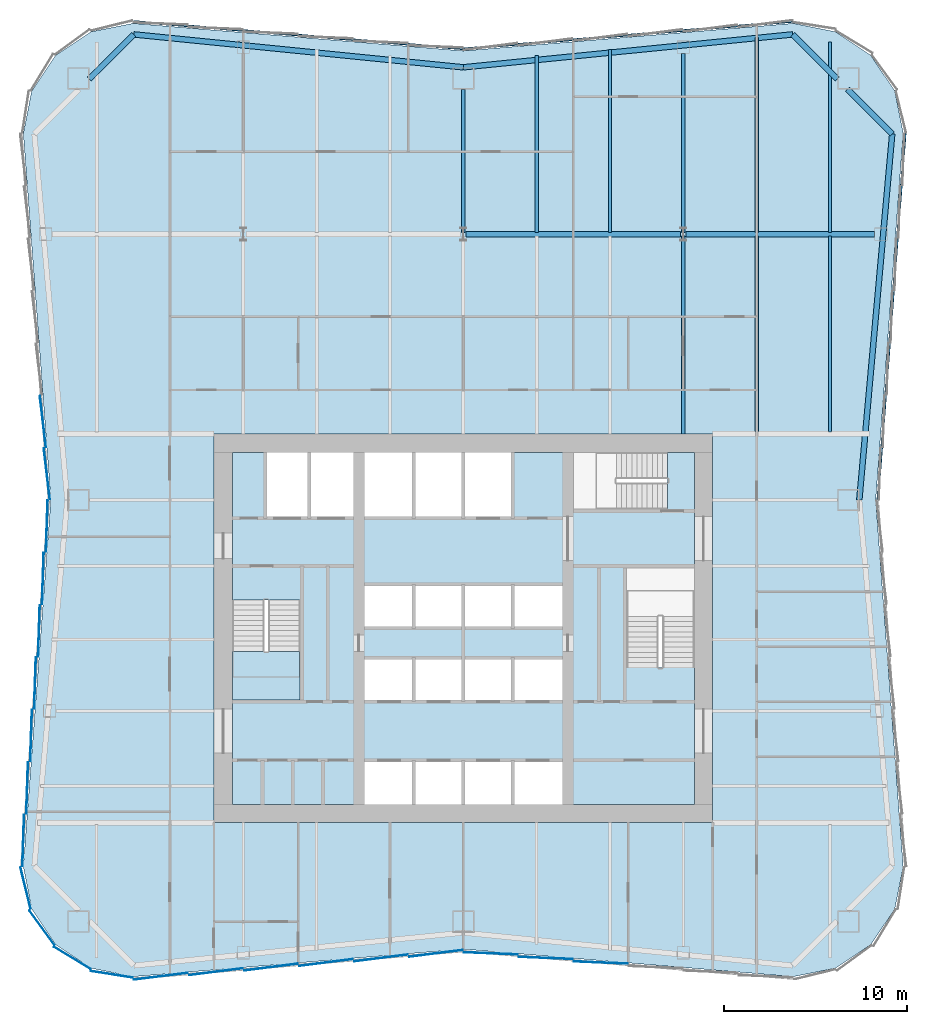
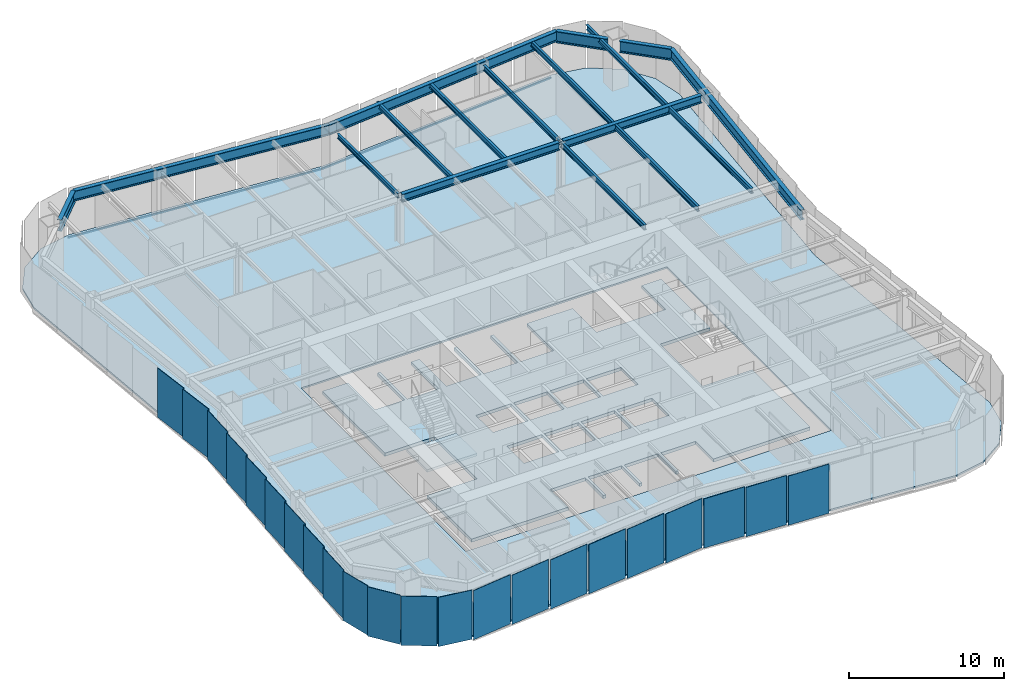
# One storey, part 2 of 8: 22 plates, 17 beams, 3 members, 3 slabs, 6 elements without a shape of their own.
"""IFC4 building model written with IfcOpenShell, lengths in metres."""

from ifc_helpers import new_model, si_unit, direction, frame, origin, origin_2d, place, context, subcontext, project, spatial, polyline, rectangle, i_section, outline, extrude, material, layer, layer_set, material_profile, profile_set, type_object, element, aggregate, save


model = new_model("IFC4")

# Units and contexts
model_context = context("Model", 3, precision=1e-05, world=origin(), true_north=direction((0.0, 1.0)))
body_context = subcontext(model_context, "Body", "Model", "MODEL_VIEW")
ifc_project = project(units=[si_unit("LENGTHUNIT", "METRE"), si_unit("AREAUNIT", "SQUARE_METRE"), si_unit("VOLUMEUNIT", "CUBIC_METRE"), si_unit("PLANEANGLEUNIT", "RADIAN"), si_unit("MASSUNIT", "GRAM", prefix="KILO")], contexts=[model_context])

# Site, building, storey
site_placement = place(None, origin())
site = spatial("IfcSite", under=ifc_project, at=site_placement, CompositionType="ELEMENT")
building_placement = place(site_placement, origin())
building = spatial("IfcBuilding", under=site, at=building_placement, Name="Verdant Reach Tower", CompositionType="ELEMENT")
storey_placement = place(building_placement, frame((0.0, 0.0, 146.0)))
storey = spatial("IfcBuildingStorey", under=building, at=storey_placement, Name="L33", CompositionType="ELEMENT", Elevation=146.0)

# Curtain wall, member
ifc_material_1 = material(Name="Anodised aluminium", Category="aluminium")
curtain_wall_type = type_object("IfcCurtainWallType", Name="EN-CW SYSTEM Z2", PredefinedType="NOTDEFINED", material=ifc_material_1)
curtain_wall_1_placement = place(storey_placement, origin())
curtain_wall_1 = element("IfcCurtainWall", 1, at=curtain_wall_1_placement, inside=storey, type_object=curtain_wall_type, Name="Curtain wall east, L33", PredefinedType="NOTDEFINED")
ifc_material_profile_1 = material_profile(ifc_material_1, rectangle(XDim=0.10009765625, YDim=0.1240234375, at=origin_2d()), Name="Transom 124x100")
ifc_profile_set_1 = profile_set([ifc_material_profile_1], Name="Anodised aluminium")
member_type = type_object("IfcMemberType", Name="EN-TRANSOM Z2", PredefinedType="USERDEFINED", material=ifc_profile_set_1)
member_1_placement = place(storey_placement, frame((22.6083984375, 35.031982421875, -0.2880859375), z_axis=(0.07476111665, 0.997201471839, 0.0), x_axis=(-0.997201471839, 0.07476111665, 0.0)))
member_1 = element("IfcMember", 2, at=member_1_placement, type_object=member_type, Name="Transom east face part 2 1.1, L33", ObjectType="TRANSOM", PredefinedType="USERDEFINED", context=body_context, shape_type="SweptSolid", body=[
    extrude(rectangle(XDim=0.10009765625, YDim=0.1240234375, at=origin_2d()), origin(), (0.0, 0.0, 1.0), 19.99853515625),
])
aggregate(curtain_wall_1, [member_1])

# Curtain wall, members
curtain_wall_2_placement = place(storey_placement, origin())
curtain_wall_2 = element("IfcCurtainWall", 3, at=curtain_wall_2_placement, inside=storey, type_object=curtain_wall_type, Name="Curtain wall north, L33", PredefinedType="NOTDEFINED")
member_2_placement = place(storey_placement, frame((17.97412109375, 61.103271484375, -0.2880859375), z_axis=(-0.996548282776, -0.083015179915, 0.0), x_axis=(0.083015179915, -0.996548282776, 0.0)))
member_2 = element("IfcMember", 4, at=member_2_placement, type_object=member_type, Name="Transom north face part 1 1.1, L33", ObjectType="TRANSOM", PredefinedType="USERDEFINED", context=body_context, shape_type="SweptSolid", body=[
    extrude(rectangle(XDim=0.10009765625, YDim=0.1240234375, at=origin_2d()), origin(), (0.0, 0.0, 1.0), 18.00439453125),
])
member_3_placement = place(storey_placement, frame((-0.031982421875, 59.608642578125, -0.2880859375), z_axis=(-0.996548282776, 0.083015179915, 0.0), x_axis=(-0.083015179915, -0.996548282776, 0.0)))
member_3 = element("IfcMember", 5, at=member_3_placement, type_object=member_type, Name="Transom north face part 2 1.1, L33", ObjectType="TRANSOM", PredefinedType="USERDEFINED", context=body_context, shape_type="SweptSolid", body=[
    extrude(rectangle(XDim=0.10009765625, YDim=0.1240234375, at=origin_2d()), origin(), (0.0, 0.0, 1.0), 18.00439453125),
])
aggregate(curtain_wall_2, [member_2, member_3])

# Beams
ifc_material_2 = material(Name="Steel S355", Category="steel")
ifc_material_profile_2 = material_profile(ifc_material_2, i_section(OverallWidth=0.300048828125, OverallDepth=0.60009765625, WebThickness=0.015380859375, FlangeThickness=0.030029296875, FilletRadius=0.027099609375, at=origin_2d()), Name="HEB 600")
ifc_profile_set_2 = profile_set([ifc_material_profile_2], Name="Steel S355")
beam_type_1 = type_object("IfcBeamType", Name="ST-BEAM-HEB600", PredefinedType="BEAM", material=ifc_profile_set_2)
beam_1_placement = place(storey_placement, frame((0.154052734375, 49.5, 3.570068359375), z_axis=(1.0, 0.0, 0.0), x_axis=(0.0, 1.0, 0.0)))
element("IfcBeam", 6, at=beam_1_placement, inside=storey, type_object=beam_type_1, Name="Row girder, L33", PredefinedType="BEAM", context=body_context, shape_type="SweptSolid", body=[
    extrude(i_section(OverallWidth=0.300048828125, OverallDepth=0.60009765625, WebThickness=0.015380859375, FlangeThickness=0.030029296875, FilletRadius=0.027099609375, at=origin_2d()), origin(), (0.0, 0.0, 1.0), 11.69189453125),
])
beam_2_placement = place(storey_placement, frame((12.154052734375, 49.5, 3.570068359375), z_axis=(1.0, 0.0, 0.0), x_axis=(0.0, 1.0, 0.0)))
element("IfcBeam", 7, at=beam_2_placement, inside=storey, type_object=beam_type_1, Name="Row girder, L33", PredefinedType="BEAM", context=body_context, shape_type="SweptSolid", body=[
    extrude(i_section(OverallWidth=0.300048828125, OverallDepth=0.60009765625, WebThickness=0.015380859375, FlangeThickness=0.030029296875, FilletRadius=0.027099609375, at=origin_2d()), origin(), (0.0, 0.0, 1.0), 10.283447265625),
])
ifc_material_profile_3 = material_profile(ifc_material_2, i_section(OverallWidth=0.169921875, OverallDepth=0.360107421875, WebThickness=0.008056640625, FlangeThickness=0.0126953125, FilletRadius=0.01806640625, at=origin_2d()), Name="IPE 360")
ifc_profile_set_3 = profile_set([ifc_material_profile_3], Name="Steel S355")
beam_type_2 = type_object("IfcBeamType", Name="ST-JOIST-IPE360", PredefinedType="JOIST", material=ifc_profile_set_3)
beam_3_placement = place(storey_placement, frame((0.0, 49.60009765625, 3.68994140625), z_axis=(0.0, 1.0, 0.0), x_axis=(-1.0, 0.0, 0.0)))
element("IfcBeam", 8, at=beam_3_placement, inside=storey, type_object=beam_type_2, Name="Floor joist, L33", PredefinedType="JOIST", context=body_context, shape_type="SweptSolid", body=[
    extrude(i_section(OverallWidth=0.169921875, OverallDepth=0.360107421875, WebThickness=0.008056640625, FlangeThickness=0.0126953125, FilletRadius=0.01806640625, at=origin_2d()), origin(), (0.0, 0.0, 1.0), 7.7998046875),
])
ifc_material_profile_4 = material_profile(ifc_material_2, i_section(OverallWidth=0.179931640625, OverallDepth=0.39990234375, WebThickness=0.008544921875, FlangeThickness=0.013427734375, FilletRadius=0.02099609375, at=origin_2d()), Name="IPE 400")
ifc_profile_set_4 = profile_set([ifc_material_profile_4], Name="Steel S355")
beam_type_3 = type_object("IfcBeamType", Name="ST-JOIST-IPE400", PredefinedType="JOIST", material=ifc_profile_set_4)
beam_4_placement = place(storey_placement, frame((4.0, 49.60009765625, 3.669921875), z_axis=(0.0, 1.0, 0.0), x_axis=(-1.0, 0.0, 0.0)))
element("IfcBeam", 9, at=beam_4_placement, inside=storey, type_object=beam_type_3, Name="Floor joist, L33", PredefinedType="JOIST", context=body_context, shape_type="SweptSolid", body=[
    extrude(i_section(OverallWidth=0.179931640625, OverallDepth=0.39990234375, WebThickness=0.008544921875, FlangeThickness=0.013427734375, FilletRadius=0.02099609375, at=origin_2d()), origin(), (0.0, 0.0, 1.0), 9.631103515625),
])
beam_5_placement = place(storey_placement, frame((8.0, 49.60009765625, 3.669921875), z_axis=(0.0, 1.0, 0.0), x_axis=(-1.0, 0.0, 0.0)))
element("IfcBeam", 10, at=beam_5_placement, inside=storey, type_object=beam_type_3, Name="Floor joist, L33", PredefinedType="JOIST", context=body_context, shape_type="SweptSolid", body=[
    extrude(i_section(OverallWidth=0.179931640625, OverallDepth=0.39990234375, WebThickness=0.008544921875, FlangeThickness=0.013427734375, FilletRadius=0.02099609375, at=origin_2d()), origin(), (0.0, 0.0, 1.0), 9.964599609375),
])
beam_6_placement = place(storey_placement, frame((12.0, 38.60009765625, 3.669921875), z_axis=(0.0, 1.0, 0.0), x_axis=(-1.0, 0.0, 0.0)))
element("IfcBeam", 11, at=beam_6_placement, inside=storey, type_object=beam_type_3, Name="Floor joist, L33", PredefinedType="JOIST", context=body_context, shape_type="SweptSolid", body=[
    extrude(i_section(OverallWidth=0.179931640625, OverallDepth=0.39990234375, WebThickness=0.008544921875, FlangeThickness=0.013427734375, FilletRadius=0.02099609375, at=origin_2d()), origin(), (0.0, 0.0, 1.0), 10.7998046875),
])
beam_7_placement = place(storey_placement, frame((12.0, 49.60009765625, 3.669921875), z_axis=(0.0, 1.0, 0.0), x_axis=(-1.0, 0.0, 0.0)))
element("IfcBeam", 12, at=beam_7_placement, inside=storey, type_object=beam_type_3, Name="Floor joist, L33", PredefinedType="JOIST", context=body_context, shape_type="SweptSolid", body=[
    extrude(i_section(OverallWidth=0.179931640625, OverallDepth=0.39990234375, WebThickness=0.008544921875, FlangeThickness=0.013427734375, FilletRadius=0.02099609375, at=origin_2d()), origin(), (0.0, 0.0, 1.0), 9.75),
])
beam_8_placement = place(storey_placement, frame((16.0, 38.699951171875, 3.669921875), z_axis=(0.0, 1.0, 0.0), x_axis=(-1.0, 0.0, 0.0)))
element("IfcBeam", 13, at=beam_8_placement, inside=storey, type_object=beam_type_3, Name="Floor joist, L33", PredefinedType="JOIST", context=body_context, shape_type="SweptSolid", body=[
    extrude(i_section(OverallWidth=0.179931640625, OverallDepth=0.39990234375, WebThickness=0.008544921875, FlangeThickness=0.013427734375, FilletRadius=0.02099609375, at=origin_2d()), origin(), (0.0, 0.0, 1.0), 10.699951171875),
])
beam_9_placement = place(storey_placement, frame((16.0, 49.60009765625, 3.669921875), z_axis=(0.0, 1.0, 0.0), x_axis=(-1.0, 0.0, 0.0)))
element("IfcBeam", 14, at=beam_9_placement, inside=storey, type_object=beam_type_3, Name="Floor joist, L33", PredefinedType="JOIST", context=body_context, shape_type="SweptSolid", body=[
    extrude(i_section(OverallWidth=0.179931640625, OverallDepth=0.39990234375, WebThickness=0.008544921875, FlangeThickness=0.013427734375, FilletRadius=0.02099609375, at=origin_2d()), origin(), (0.0, 0.0, 1.0), 10.631103515625),
])
beam_10_placement = place(storey_placement, frame((20.0, 38.699951171875, 3.669921875), z_axis=(0.0, 1.0, 0.0), x_axis=(-1.0, 0.0, 0.0)))
element("IfcBeam", 15, at=beam_10_placement, inside=storey, type_object=beam_type_3, Name="Floor joist, L33", PredefinedType="JOIST", context=body_context, shape_type="SweptSolid", body=[
    extrude(i_section(OverallWidth=0.179931640625, OverallDepth=0.39990234375, WebThickness=0.008544921875, FlangeThickness=0.013427734375, FilletRadius=0.02099609375, at=origin_2d()), origin(), (0.0, 0.0, 1.0), 10.699951171875),
])
beam_11_placement = place(storey_placement, frame((20.0, 49.60009765625, 3.669921875), z_axis=(0.0, 1.0, 0.0), x_axis=(-1.0, 0.0, 0.0)))
element("IfcBeam", 16, at=beam_11_placement, inside=storey, type_object=beam_type_3, Name="Floor joist, L33", PredefinedType="JOIST", context=body_context, shape_type="SweptSolid", body=[
    extrude(i_section(OverallWidth=0.179931640625, OverallDepth=0.39990234375, WebThickness=0.008544921875, FlangeThickness=0.013427734375, FilletRadius=0.02099609375, at=origin_2d()), origin(), (0.0, 0.0, 1.0), 10.390380859375),
])
ifc_material_profile_5 = material_profile(ifc_material_2, i_section(OverallWidth=0.300048828125, OverallDepth=0.800048828125, WebThickness=0.017578125, FlangeThickness=0.032958984375, FilletRadius=0.030029296875, at=origin_2d()), Name="HEB 800")
ifc_profile_set_5 = profile_set([ifc_material_profile_5], Name="Steel S355")
beam_type_4 = type_object("IfcBeamType", Name="ST-SPANDREL-HEB800", PredefinedType="SPANDREL", material=ifc_profile_set_5)
for number, where, z_axis, x_axis, name in (
    (17, (-17.9658203125, 60.39501953125, 3.469970703125), (0.995046289869, -0.099412680371, 0.0), (0.099412680371, 0.995046289869, 0.0), "Edge beam, L33"),
    (18, (0.0, 58.60009765625, 3.469970703125), (0.995046289869, 0.099412680371, 0.0), (-0.099412680371, 0.995046289869, 0.0), "Edge beam, L33"),
):
    element("IfcBeam", number, at=place(storey_placement, frame(where, z_axis=z_axis, x_axis=x_axis)), inside=storey, type_object=beam_type_4, Name=name, PredefinedType="SPANDREL", context=body_context, shape_type="SweptSolid", body=[
        extrude(i_section(OverallWidth=0.300048828125, OverallDepth=0.800048828125, WebThickness=0.017578125, FlangeThickness=0.032958984375, FilletRadius=0.030029296875, at=origin_2d()), origin(), (0.0, 0.0, 1.0), 18.05517578125),
    ])
beam_12_placement = place(storey_placement, frame((23.3955078125, 54.963134765625, 3.469970703125), z_axis=(-0.089574749266, -0.995980102358, 0.0), x_axis=(0.995980102358, -0.089574749266, 0.0)))
element("IfcBeam", 19, at=beam_12_placement, inside=storey, type_object=beam_type_4, Name="Edge beam, L33", PredefinedType="SPANDREL", context=body_context, shape_type="SweptSolid", body=[
    extrude(i_section(OverallWidth=0.300048828125, OverallDepth=0.800048828125, WebThickness=0.017578125, FlangeThickness=0.032958984375, FilletRadius=0.030029296875, at=origin_2d()), origin(), (0.0, 0.0, 1.0), 20.043701171875),
])
ifc_material_profile_6 = material_profile(ifc_material_2, i_section(OverallWidth=0.302001953125, OverallDepth=0.909912109375, WebThickness=0.02099609375, FlangeThickness=0.0400390625, FilletRadius=0.030029296875, at=origin_2d()), Name="HEM 900")
ifc_profile_set_6 = profile_set([ifc_material_profile_6], Name="Steel S355")
beam_type_5 = type_object("IfcBeamType", Name="ST-SPANDREL-HEM900", PredefinedType="SPANDREL", material=ifc_profile_set_6)
for number, where, z_axis, x_axis, name in (
    (20, (-20.39990234375, 57.9599609375, 3.4150390625), (0.70696494852, 0.70724858541, 0.0), (-0.70724858541, 0.70696494852, 0.0), "Edge beam, L33"),
    (21, (17.9658203125, 60.39501953125, 3.4150390625), (0.70696494852, -0.70724858541, 0.0), (0.70724858541, 0.70696494852, 0.0), "Edge beam, L33"),
):
    element("IfcBeam", number, at=place(storey_placement, frame(where, z_axis=z_axis, x_axis=x_axis)), inside=storey, type_object=beam_type_5, Name=name, PredefinedType="SPANDREL", context=body_context, shape_type="SweptSolid", body=[
        extrude(i_section(OverallWidth=0.302001953125, OverallDepth=0.909912109375, WebThickness=0.02099609375, FlangeThickness=0.0400390625, FilletRadius=0.030029296875, at=origin_2d()), origin(), (0.0, 0.0, 1.0), 3.443115234375),
    ])
beam_13_placement = place(storey_placement, frame((20.959716796875, 57.39990234375, 3.4150390625), z_axis=(0.706965048022, -0.707248485948, 0.0), x_axis=(0.707248485948, 0.706965048022, 0.0)))
element("IfcBeam", 22, at=beam_13_placement, inside=storey, type_object=beam_type_5, Name="Edge beam, L33", PredefinedType="SPANDREL", context=body_context, shape_type="SweptSolid", body=[
    extrude(i_section(OverallWidth=0.302001953125, OverallDepth=0.909912109375, WebThickness=0.02099609375, FlangeThickness=0.0400390625, FilletRadius=0.030029296875, at=origin_2d()), origin(), (0.0, 0.0, 1.0), 3.4453125),
])

# Stair, slab
ifc_material_3 = material(Name="Concrete C40/50", Category="concrete")
stair_type = type_object("IfcStairType", Name="CO-STAIR", PredefinedType="HALF_TURN_STAIR", material=ifc_material_3)
stair_placement = place(storey_placement, origin())
stair = element("IfcStair", 23, at=stair_placement, inside=storey, type_object=stair_type, Name="L33 Exit stair 1", PredefinedType="HALF_TURN_STAIR")
ifc_layer_1 = layer(ifc_material_3, 0.199951171875)
ifc_layer_set_1 = layer_set([ifc_layer_1], Name="CO-STAIR-LANDING")
slab_type_1 = type_object("IfcSlabType", Name="CO-STAIR-LANDING", PredefinedType="LANDING", material=ifc_layer_set_1)
slab_1_placement = place(storey_placement, frame((0.0, 0.0, 1.800048828125)))
slab_1 = element("IfcSlab", 24, at=slab_1_placement, type_object=slab_type_1, Name="ST-1 landing 1", PredefinedType="LANDING", context=body_context, shape_type="SweptSolid", body=[
    extrude(outline(polyline([(-12.60009765625, 26.75), (-12.60009765625, 24.10009765625), (-8.89990234375, 24.10009765625), (-8.89990234375, 26.75), (-12.60009765625, 26.75)])), origin(), (0.0, 0.0, 1.0), 0.199951171875),
])
aggregate(stair, [slab_1])

# Curtain wall, plates
curtain_wall_3_placement = place(storey_placement, origin())
curtain_wall_3 = element("IfcCurtainWall", 25, at=curtain_wall_3_placement, inside=storey, type_object=curtain_wall_type, Name="Curtain wall west, L33", PredefinedType="NOTDEFINED")
ifc_material_4 = material(Name="Tinted glass with champagne spandrel", Category="glass")
ifc_layer_2 = layer(ifc_material_4, 0.031982421875)
ifc_layer_set_2 = layer_set([ifc_layer_2], Name="EN-PANEL CHAMPAGNE")
plate_type_1 = type_object("IfcPlateType", Name="EN-PANEL CHAMPAGNE", PredefinedType="CURTAIN_PANEL", material=ifc_layer_set_2)
plate_1_placement = place(storey_placement, frame((-22.92724609375, 39.27783203125, -0.22607421875), z_axis=(0.0, 0.0, 1.0), x_axis=(0.116482717753, -0.993192718693, 0.0)))
plate_1 = element("IfcPlate", 26, at=plate_1_placement, type_object=plate_type_1, Name="Glass panel west face part 1 6.1, L33", PredefinedType="CURTAIN_PANEL", context=body_context, shape_type="SweptSolid", body=[
    extrude(rectangle(XDim=2.80517578125, YDim=0.031982421875, at=origin_2d()), origin(), (0.0, 0.0, 1.0), 3.8759765625),
])
plate_2_placement = place(storey_placement, frame((-22.712890625, 36.424560546875, -0.22607421875), z_axis=(0.0, 0.0, 1.0), x_axis=(0.116585911919, -0.993180610535, 0.0)))
plate_2 = element("IfcPlate", 27, at=plate_2_placement, type_object=plate_type_1, Name="Glass panel west face part 1 7.1, L33", PredefinedType="CURTAIN_PANEL", context=body_context, shape_type="SweptSolid", body=[
    extrude(rectangle(XDim=2.797119140625, YDim=0.031982421875, at=origin_2d()), origin(), (0.0, 0.0, 1.0), 3.8759765625),
])
plate_3_placement = place(storey_placement, frame((-22.712890625, 33.575439453125, -0.22607421875), z_axis=(0.0, 0.0, 1.0), x_axis=(-0.033069817188, -0.999453044015, 0.0)))
plate_3 = element("IfcPlate", 28, at=plate_3_placement, type_object=plate_type_1, Name="Glass panel west face part 2 1.1, L33", PredefinedType="CURTAIN_PANEL", context=body_context, shape_type="SweptSolid", body=[
    extrude(rectangle(XDim=2.797119140625, YDim=0.031982421875, at=origin_2d()), origin(), (0.0, 0.0, 1.0), 3.8759765625),
])
plate_4_placement = place(storey_placement, frame((-23.99853515625, 16.42919921875, -0.22607421875), z_axis=(0.0, 0.0, 1.0), x_axis=(-0.032628234484, -0.99946755741, 0.0)))
plate_4 = element("IfcPlate", 29, at=plate_4_placement, type_object=plate_type_1, Name="Glass panel west face part 2 7.1, L33", PredefinedType="CURTAIN_PANEL", context=body_context, shape_type="SweptSolid", body=[
    extrude(rectangle(XDim=2.819580078125, YDim=0.031982421875, at=origin_2d()), origin(), (0.0, 0.0, 1.0), 3.8759765625),
])

curtain_wall_4_placement = place(storey_placement, origin())
curtain_wall_4 = element("IfcCurtainWall", 30, at=curtain_wall_4_placement, inside=storey, type_object=curtain_wall_type, Name="Curtain wall south, L33", PredefinedType="NOTDEFINED")
plate_5_placement = place(storey_placement, frame((-10.4912109375, 9.519287109375, -0.22607421875), z_axis=(0.0, 0.0, 1.0), x_axis=(0.992194034542, 0.124703639961, 0.0)))
plate_5 = element("IfcPlate", 31, at=plate_5_placement, type_object=plate_type_1, Name="Glass panel south face part 1 3.1, L33", PredefinedType="CURTAIN_PANEL", context=body_context, shape_type="SweptSolid", body=[
    extrude(rectangle(XDim=2.950439453125, YDim=0.031982421875, at=origin_2d()), origin(), (0.0, 0.0, 1.0), 3.8759765625),
])
plate_6_placement = place(storey_placement, frame((-7.4912109375, 9.769287109375, -0.22607421875), z_axis=(0.0, 0.0, 1.0), x_axis=(0.992194034542, 0.124703639961, 0.0)))
plate_6 = element("IfcPlate", 32, at=plate_6_placement, type_object=plate_type_1, Name="Glass panel south face part 1 4.1, L33", PredefinedType="CURTAIN_PANEL", context=body_context, shape_type="SweptSolid", body=[
    extrude(rectangle(XDim=2.950439453125, YDim=0.031982421875, at=origin_2d()), origin(), (0.0, 0.0, 1.0), 3.8759765625),
])
plate_7_placement = place(storey_placement, frame((-4.4912109375, 10.019287109375, -0.22607421875), z_axis=(0.0, 0.0, 1.0), x_axis=(0.992194034542, 0.124703639961, 0.0)))
plate_7 = element("IfcPlate", 33, at=plate_7_placement, type_object=plate_type_1, Name="Glass panel south face part 1 5.1, L33", PredefinedType="CURTAIN_PANEL", context=body_context, shape_type="SweptSolid", body=[
    extrude(rectangle(XDim=2.950439453125, YDim=0.031982421875, at=origin_2d()), origin(), (0.0, 0.0, 1.0), 3.8759765625),
])

# Plate
ifc_material_5 = material(Name="Tinted glass with copper spandrel", Category="glass")
ifc_layer_3 = layer(ifc_material_5, 0.031982421875)
ifc_layer_set_3 = layer_set([ifc_layer_3], Name="EN-PANEL COPPER")
plate_type_2 = type_object("IfcPlateType", Name="EN-PANEL COPPER", PredefinedType="CURTAIN_PANEL", material=ifc_layer_set_3)
plate_8_placement = place(storey_placement, frame((-22.92724609375, 30.72216796875, -0.22607421875), z_axis=(0.0, 0.0, 1.0), x_axis=(-0.032965971753, -0.999456474643, 0.0)))
plate_8 = element("IfcPlate", 34, at=plate_8_placement, type_object=plate_type_2, Name="Glass panel west face part 2 2.1, L33", PredefinedType="CURTAIN_PANEL", context=body_context, shape_type="SweptSolid", body=[
    extrude(rectangle(XDim=2.80517578125, YDim=0.031982421875, at=origin_2d()), origin(), (0.0, 0.0, 1.0), 3.8759765625),
])

plate_9_placement = place(storey_placement, frame((-23.141357421875, 27.864990234375, -0.22607421875), z_axis=(0.0, 0.0, 1.0), x_axis=(-0.032965971753, -0.999456474643, 0.0)))
plate_9 = element("IfcPlate", 35, at=plate_9_placement, type_object=plate_type_2, Name="Glass panel west face part 2 3.1, L33", PredefinedType="CURTAIN_PANEL", context=body_context, shape_type="SweptSolid", body=[
    extrude(rectangle(XDim=2.80517578125, YDim=0.031982421875, at=origin_2d()), origin(), (0.0, 0.0, 1.0), 3.8759765625),
])

# Curtain wall, plates
curtain_wall_5_placement = place(storey_placement, origin())
curtain_wall_5 = element("IfcCurtainWall", 36, at=curtain_wall_5_placement, inside=storey, type_object=curtain_wall_type, Name="Curtain wall south-west corner, L33", PredefinedType="NOTDEFINED")
plate_10_placement = place(storey_placement, frame((-23.87353515625, 13.828369140625, -0.22607421875), z_axis=(0.0, 0.0, 1.0), x_axis=(0.236416170006, -0.971651889598, 0.0)))
plate_10 = element("IfcPlate", 37, at=plate_10_placement, type_object=plate_type_2, Name="Glass panel south-west corner 1.1, L33", PredefinedType="CURTAIN_PANEL", context=body_context, shape_type="SweptSolid", body=[
    extrude(rectangle(XDim=2.316162109375, YDim=0.031982421875, at=origin_2d()), origin(), (0.0, 0.0, 1.0), 3.8759765625),
])
plate_11_placement = place(storey_placement, frame((-22.9794921875, 11.6728515625, -0.22607421875), z_axis=(0.0, 0.0, 1.0), x_axis=(0.589926757843, -0.807456760688, 0.0)))
plate_11 = element("IfcPlate", 38, at=plate_11_placement, type_object=plate_type_2, Name="Glass panel south-west corner 2.1, L33", PredefinedType="CURTAIN_PANEL", context=body_context, shape_type="SweptSolid", body=[
    extrude(rectangle(XDim=2.322509765625, YDim=0.031982421875, at=origin_2d()), origin(), (0.0, 0.0, 1.0), 3.8759765625),
])

# Plate
plate_12_placement = place(storey_placement, frame((-1.49560546875, 10.269287109375, -0.22607421875), z_axis=(0.0, 0.0, 1.0), x_axis=(0.992178815188, 0.12482467181, 0.0)))
plate_12 = element("IfcPlate", 39, at=plate_12_placement, type_object=plate_type_2, Name="Glass panel south face part 1 6.1, L33", PredefinedType="CURTAIN_PANEL", context=body_context, shape_type="SweptSolid", body=[
    extrude(rectangle(XDim=2.941650390625, YDim=0.031982421875, at=origin_2d()), origin(), (0.0, 0.0, 1.0), 3.8759765625),
])

plate_13_placement = place(storey_placement, frame((1.49560546875, 10.269287109375, -0.22607421875), z_axis=(0.0, 0.0, 1.0), x_axis=(0.999144163765, -0.041363510662, 0.0)))
plate_13 = element("IfcPlate", 40, at=plate_13_placement, type_object=plate_type_2, Name="Glass panel south face part 2 1.1, L33", PredefinedType="CURTAIN_PANEL", context=body_context, shape_type="SweptSolid", body=[
    extrude(rectangle(XDim=2.941650390625, YDim=0.031982421875, at=origin_2d()), origin(), (0.0, 0.0, 1.0), 3.8759765625),
])

ifc_material_6 = material(Name="Tinted glass with dark bronze spandrel", Category="glass")
ifc_layer_4 = layer(ifc_material_6, 0.031982421875)
ifc_layer_set_4 = layer_set([ifc_layer_4], Name="EN-PANEL DARK")
plate_type_3 = type_object("IfcPlateType", Name="EN-PANEL DARK", PredefinedType="CURTAIN_PANEL", material=ifc_layer_set_4)
plate_14_placement = place(storey_placement, frame((-23.355712890625, 25.0078125, -0.22607421875), z_axis=(0.0, 0.0, 1.0), x_axis=(-0.032965971753, -0.999456474643, 0.0)))
plate_14 = element("IfcPlate", 41, at=plate_14_placement, type_object=plate_type_3, Name="Glass panel west face part 2 4.1, L33", PredefinedType="CURTAIN_PANEL", context=body_context, shape_type="SweptSolid", body=[
    extrude(rectangle(XDim=2.80517578125, YDim=0.031982421875, at=origin_2d()), origin(), (0.0, 0.0, 1.0), 3.8759765625),
])

plate_15_placement = place(storey_placement, frame((-23.570068359375, 22.15087890625, -0.22607421875), z_axis=(0.0, 0.0, 1.0), x_axis=(-0.032965971753, -0.999456474643, 0.0)))
plate_15 = element("IfcPlate", 42, at=plate_15_placement, type_object=plate_type_3, Name="Glass panel west face part 2 5.1, L33", PredefinedType="CURTAIN_PANEL", context=body_context, shape_type="SweptSolid", body=[
    extrude(rectangle(XDim=2.80517578125, YDim=0.031982421875, at=origin_2d()), origin(), (0.0, 0.0, 1.0), 3.8759765625),
])

plate_16_placement = place(storey_placement, frame((-23.7841796875, 19.293701171875, -0.22607421875), z_axis=(0.0, 0.0, 1.0), x_axis=(-0.032965971753, -0.999456474643, 0.0)))
plate_16 = element("IfcPlate", 43, at=plate_16_placement, type_object=plate_type_3, Name="Glass panel west face part 2 6.1, L33", PredefinedType="CURTAIN_PANEL", context=body_context, shape_type="SweptSolid", body=[
    extrude(rectangle(XDim=2.80517578125, YDim=0.031982421875, at=origin_2d()), origin(), (0.0, 0.0, 1.0), 3.8759765625),
])

aggregate(curtain_wall_3, [plate_1, plate_2, plate_3, plate_8, plate_9, plate_14, plate_15, plate_16, plate_4])

plate_17_placement = place(storey_placement, frame((-21.3271484375, 10.0205078125, -0.22607421875), z_axis=(0.0, 0.0, 1.0), x_axis=(0.853988694998, -0.520291561353, 0.0)))
plate_17 = element("IfcPlate", 44, at=plate_17_placement, type_object=plate_type_3, Name="Glass panel south-west corner 3.1, L33", PredefinedType="CURTAIN_PANEL", context=body_context, shape_type="SweptSolid", body=[
    extrude(rectangle(XDim=2.322509765625, YDim=0.031982421875, at=origin_2d()), origin(), (0.0, 0.0, 1.0), 3.8759765625),
])

plate_18_placement = place(storey_placement, frame((-19.17138671875, 9.12646484375, -0.22607421875), z_axis=(0.0, 0.0, 1.0), x_axis=(0.988030887576, -0.154256167447, 0.0)))
plate_18 = element("IfcPlate", 45, at=plate_18_placement, type_object=plate_type_3, Name="Glass panel south-west corner 4.1, L33", PredefinedType="CURTAIN_PANEL", context=body_context, shape_type="SweptSolid", body=[
    extrude(rectangle(XDim=2.31640625, YDim=0.031982421875, at=origin_2d()), origin(), (0.0, 0.0, 1.0), 3.8759765625),
])

aggregate(curtain_wall_5, [plate_10, plate_11, plate_17, plate_18])

plate_19_placement = place(storey_placement, frame((-16.49853515625, 9.019287109375, -0.22607421875), z_axis=(0.0, 0.0, 1.0), x_axis=(0.992236570309, 0.124364739946, 0.0)))
plate_19 = element("IfcPlate", 46, at=plate_19_placement, type_object=plate_type_3, Name="Glass panel south face part 1 1.1, L33", PredefinedType="CURTAIN_PANEL", context=body_context, shape_type="SweptSolid", body=[
    extrude(rectangle(XDim=2.965087890625, YDim=0.031982421875, at=origin_2d()), origin(), (0.0, 0.0, 1.0), 3.8759765625),
])

plate_20_placement = place(storey_placement, frame((-13.4912109375, 9.269287109375, -0.22607421875), z_axis=(0.0, 0.0, 1.0), x_axis=(0.992194034542, 0.124703639961, 0.0)))
plate_20 = element("IfcPlate", 47, at=plate_20_placement, type_object=plate_type_3, Name="Glass panel south face part 1 2.1, L33", PredefinedType="CURTAIN_PANEL", context=body_context, shape_type="SweptSolid", body=[
    extrude(rectangle(XDim=2.950439453125, YDim=0.031982421875, at=origin_2d()), origin(), (0.0, 0.0, 1.0), 3.8759765625),
])

plate_21_placement = place(storey_placement, frame((4.4912109375, 10.019287109375, -0.22607421875), z_axis=(0.0, 0.0, 1.0), x_axis=(0.999149202059, -0.041241629766, 0.0)))
plate_21 = element("IfcPlate", 48, at=plate_21_placement, type_object=plate_type_3, Name="Glass panel south face part 2 2.1, L33", PredefinedType="CURTAIN_PANEL", context=body_context, shape_type="SweptSolid", body=[
    extrude(rectangle(XDim=2.950439453125, YDim=0.031982421875, at=origin_2d()), origin(), (0.0, 0.0, 1.0), 3.8759765625),
])

plate_22_placement = place(storey_placement, frame((7.4912109375, 9.769287109375, -0.22607421875), z_axis=(0.0, 0.0, 1.0), x_axis=(0.999149202059, -0.041241629766, 0.0)))
plate_22 = element("IfcPlate", 49, at=plate_22_placement, type_object=plate_type_3, Name="Glass panel south face part 2 3.1, L33", PredefinedType="CURTAIN_PANEL", context=body_context, shape_type="SweptSolid", body=[
    extrude(rectangle(XDim=2.950439453125, YDim=0.031982421875, at=origin_2d()), origin(), (0.0, 0.0, 1.0), 3.8759765625),
])

aggregate(curtain_wall_4, [plate_19, plate_20, plate_5, plate_6, plate_7, plate_12, plate_13, plate_21, plate_22])

# Slabs
ifc_material_7 = material(Name="Concrete C35/45", Category="concrete")
ifc_layer_5 = layer(ifc_material_7, 0.1298828125)
ifc_layer_set_5 = layer_set([ifc_layer_5], Name="ST-SLAB-130")
slab_type_2 = type_object("IfcSlabType", Name="ST-SLAB-130", PredefinedType="FLOOR", material=ifc_layer_set_5)
slab_2_placement = place(storey_placement, frame((0.0, 0.0, -0.1298828125)))
element("IfcSlab", 50, at=slab_2_placement, inside=storey, type_object=slab_type_2, Name="Floor slab L33", PredefinedType="FLOOR", context=body_context, shape_type="SweptSolid", body=[
    extrude(outline(polyline([(0.0, 10.5), (-18.0, 9.0), (-20.296142578125, 9.456787109375), (-22.24267578125, 10.75732421875), (-23.543212890625, 12.703857421875), (-24.0, 15.0), (-22.5, 35.0), (-24.0, 55.0), (-23.543212890625, 57.296142578125), (-22.24267578125, 59.24267578125), (-20.296142578125, 60.543212890625), (-18.0, 61.0), (0.0, 59.5), (18.0, 61.0), (20.296142578125, 60.543212890625), (22.24267578125, 59.24267578125), (23.543212890625, 57.296142578125), (24.0, 55.0), (22.5, 35.0), (24.0, 15.0), (23.543212890625, 12.703857421875), (22.24267578125, 10.75732421875), (20.296142578125, 9.456787109375), (18.0, 9.0), (0.0, 10.5)]), holes=[polyline([(13.60009765625, 38.60009765625), (-13.60009765625, 38.60009765625), (-13.60009765625, 17.39990234375), (13.60009765625, 17.39990234375), (13.60009765625, 38.60009765625)])]), origin(), (0.0, 0.0, 1.0), 0.1298828125),
])
ifc_layer_6 = layer(ifc_material_7, 0.25)
ifc_layer_set_6 = layer_set([ifc_layer_6], Name="ST-SLAB-250")
slab_type_3 = type_object("IfcSlabType", Name="ST-SLAB-250", PredefinedType="FLOOR", material=ifc_layer_set_6)
slab_3_placement = place(storey_placement, frame((0.0, 0.0, -0.25)))
element("IfcSlab", 51, at=slab_3_placement, inside=storey, type_object=slab_type_3, Name="Core floor slab L33", PredefinedType="FLOOR", context=body_context, shape_type="SweptSolid", body=[
    extrude(outline(polyline([(12.60009765625, 18.39990234375), (5.39990234375, 18.39990234375), (5.39990234375, 20.699951171875), (2.800048828125, 20.699951171875), (2.800048828125, 18.39990234375), (2.60009765625, 18.39990234375), (2.60009765625, 20.699951171875), (0.10009765625, 20.699951171875), (0.10009765625, 18.39990234375), (-0.10009765625, 18.39990234375), (-0.10009765625, 20.699951171875), (-2.60009765625, 20.699951171875), (-2.60009765625, 18.39990234375), (-2.800048828125, 18.39990234375), (-2.800048828125, 20.699951171875), (-5.39990234375, 20.699951171875), (-5.39990234375, 18.39990234375), (-12.60009765625, 18.39990234375), (-12.60009765625, 24.10009765625), (-8.89990234375, 24.10009765625), (-8.89990234375, 29.548095703125), (-12.60009765625, 29.548095703125), (-12.60009765625, 37.60009765625), (-10.699951171875, 37.60009765625), (-10.699951171875, 34.10009765625), (-8.5, 34.10009765625), (-8.5, 37.60009765625), (-8.300048828125, 37.60009765625), (-8.300048828125, 34.10009765625), (-6.0, 34.10009765625), (-6.0, 37.60009765625), (-5.39990234375, 37.60009765625), (-5.39990234375, 34.10009765625), (-2.800048828125, 34.10009765625), (-2.800048828125, 37.60009765625), (-2.60009765625, 37.60009765625), (-2.60009765625, 34.10009765625), (-0.10009765625, 34.10009765625), (-0.10009765625, 37.60009765625), (0.10009765625, 37.60009765625), (0.10009765625, 34.10009765625), (2.60009765625, 34.10009765625), (2.60009765625, 37.60009765625), (6.0, 37.60009765625), (6.0, 34.5), (11.14794921875, 34.5), (11.14794921875, 37.60009765625), (12.60009765625, 37.60009765625), (12.60009765625, 31.300048828125), (8.89990234375, 31.300048828125), (8.89990234375, 25.85205078125), (12.60009765625, 25.85205078125), (12.60009765625, 18.39990234375)]), holes=[polyline([(-2.800048828125, 24.10009765625), (-2.800048828125, 26.300048828125), (-5.39990234375, 26.300048828125), (-5.39990234375, 24.10009765625), (-2.800048828125, 24.10009765625)]), polyline([(-2.60009765625, 24.10009765625), (-0.10009765625, 24.10009765625), (-0.10009765625, 26.300048828125), (-2.60009765625, 26.300048828125), (-2.60009765625, 24.10009765625)]), polyline([(-2.800048828125, 28.10009765625), (-2.800048828125, 30.300048828125), (-5.39990234375, 30.300048828125), (-5.39990234375, 28.10009765625), (-2.800048828125, 28.10009765625)]), polyline([(-0.10009765625, 28.10009765625), (-0.10009765625, 30.300048828125), (-2.60009765625, 30.300048828125), (-2.60009765625, 28.10009765625), (-0.10009765625, 28.10009765625)]), polyline([(2.60009765625, 24.10009765625), (2.60009765625, 26.300048828125), (0.10009765625, 26.300048828125), (0.10009765625, 24.10009765625), (2.60009765625, 24.10009765625)]), polyline([(2.800048828125, 24.10009765625), (5.39990234375, 24.10009765625), (5.39990234375, 26.300048828125), (2.800048828125, 26.300048828125), (2.800048828125, 24.10009765625)]), polyline([(2.60009765625, 28.10009765625), (2.60009765625, 30.300048828125), (0.10009765625, 30.300048828125), (0.10009765625, 28.10009765625), (2.60009765625, 28.10009765625)]), polyline([(5.39990234375, 28.10009765625), (5.39990234375, 30.300048828125), (2.800048828125, 30.300048828125), (2.800048828125, 28.10009765625), (5.39990234375, 28.10009765625)])]), origin(), (0.0, 0.0, 1.0), 0.25),
])

save(model, "model.ifc")
